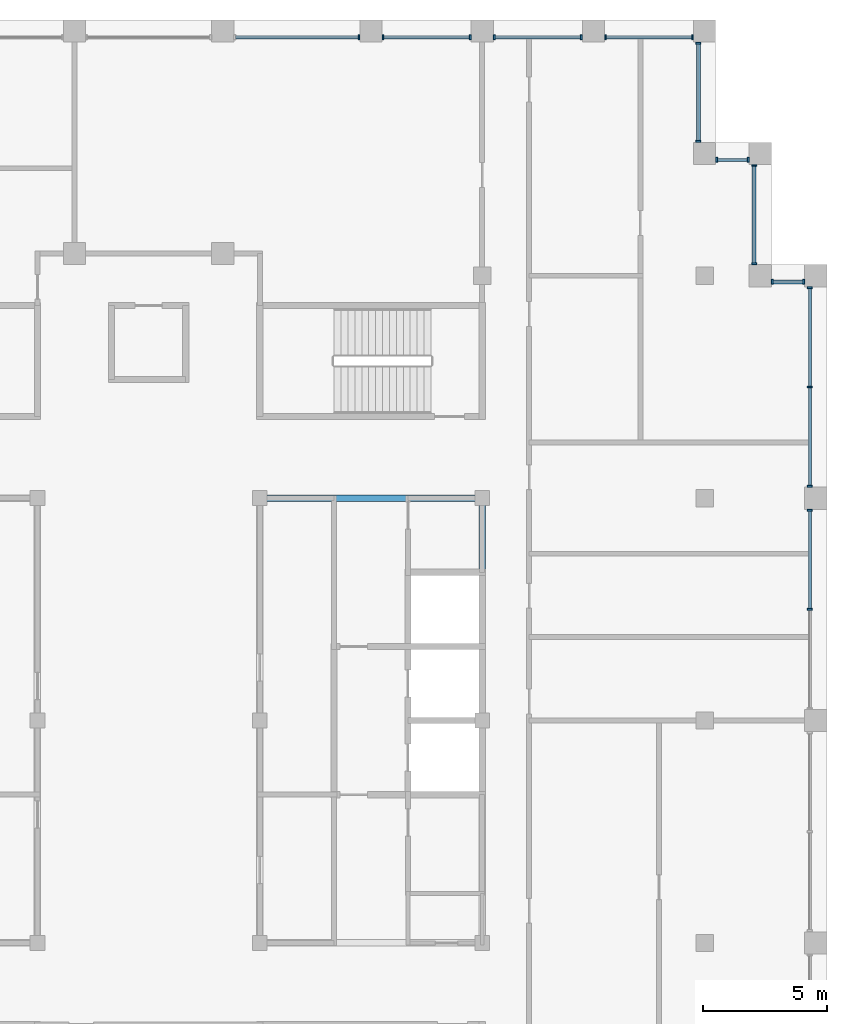
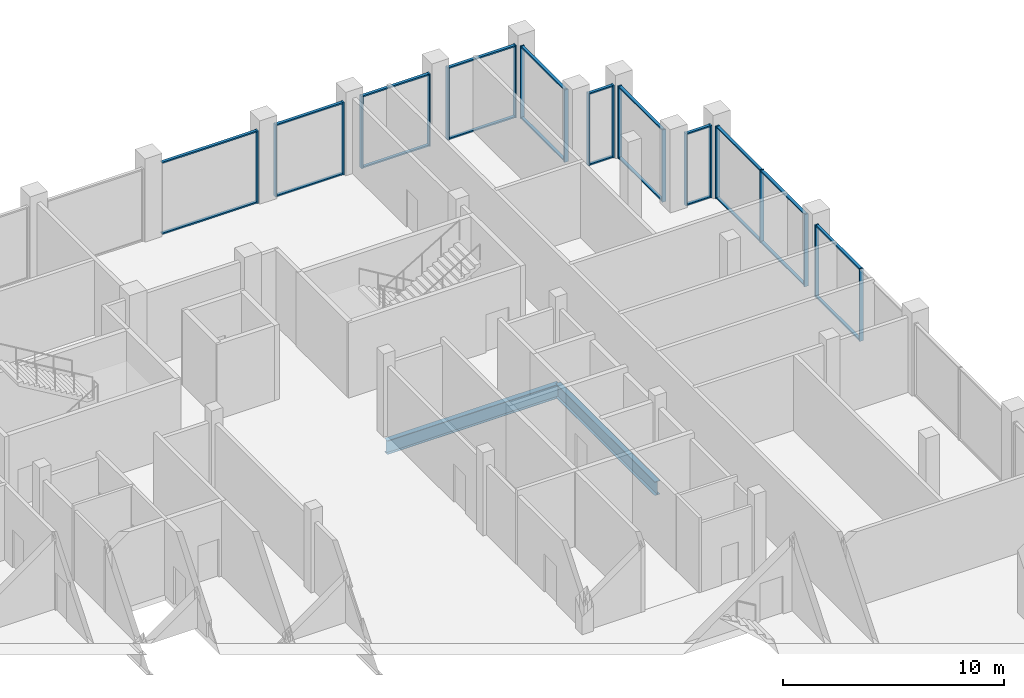
# One storey, part 5 of 12: 42 members, 2 beams, 10 elements without a shape of their own.
"""IFC4 building model written with IfcOpenShell, lengths in metres."""

from ifc_helpers import new_model, si_unit, direction, frame, origin, origin_2d, place, context, subcontext, project, spatial, rectangle, i_section, extrude, material, layer, layer_set, material_profile, profile_set, type_object, element, aggregate, save


model = new_model("IFC4")

# Units and contexts
model_context = context("Model", 3, precision=1e-05, world=origin(), true_north=direction((0.0, 1.0)))
body_context = subcontext(model_context, "Body", "Model", "MODEL_VIEW")
ifc_project = project(units=[si_unit("LENGTHUNIT", "METRE"), si_unit("AREAUNIT", "SQUARE_METRE"), si_unit("VOLUMEUNIT", "CUBIC_METRE"), si_unit("PLANEANGLEUNIT", "RADIAN"), si_unit("MASSUNIT", "GRAM", prefix="KILO")], contexts=[model_context])

# Site, building, storey
site_placement = place(None, origin())
site = spatial("IfcSite", under=ifc_project, at=site_placement, CompositionType="ELEMENT")
building_placement = place(site_placement, origin())
building = spatial("IfcBuilding", under=site, at=building_placement, Name="Corbelhall Arena Tower", CompositionType="ELEMENT")
storey_placement = place(building_placement, frame((0.0, 0.0, 356.0)))
storey = spatial("IfcBuildingStorey", under=building, at=storey_placement, Name="L78", CompositionType="ELEMENT", Elevation=356.0)

# Curtain wall, members
ifc_material_1 = material(Name="Aluminium black anodised", Category="aluminium")
ifc_layer = layer(ifc_material_1, 0.179931640625)
ifc_layer_set = layer_set([ifc_layer], Name="EV-CW3 Crown glazing")
curtain_wall_type = type_object("IfcCurtainWallType", Name="EV-CW3 Crown glazing", PredefinedType="NOTDEFINED", material=ifc_layer_set)
curtain_wall_1_placement = place(storey_placement, origin())
curtain_wall_1 = element("IfcCurtainWall", 1, at=curtain_wall_1_placement, inside=storey, type_object=curtain_wall_type, Name="Curtain wall CW3", PredefinedType="NOTDEFINED")
ifc_material_profile_1 = material_profile(ifc_material_1, rectangle(XDim=0.199951171875, YDim=0.074951171875, at=origin_2d()))
ifc_profile_set_1 = profile_set([ifc_material_profile_1], Name="Aluminium black anodised")
member_type_1 = type_object("IfcMemberType", Name="EV-CW3-MULLION", PredefinedType="MULLION", material=ifc_profile_set_1)
member_1_placement = place(storey_placement, frame((26.75, 4.5, 0.0), z_axis=(0.0, 0.0, 1.0), x_axis=(-1.0, 0.0, 0.0)))
member_1 = element("IfcMember", 2, at=member_1_placement, type_object=member_type_1, Name="CW3 mullion 2", PredefinedType="MULLION", context=body_context, shape_type="SweptSolid", body=[
    extrude(rectangle(XDim=0.199951171875, YDim=0.074951171875, at=origin_2d()), origin(), (0.0, 0.0, 1.0), 3.99951171875),
])
member_2_placement = place(storey_placement, frame((26.75, 8.512451171875, 0.0), z_axis=(0.0, 0.0, 1.0), x_axis=(-1.0, 0.0, 0.0)))
member_2 = element("IfcMember", 3, at=member_2_placement, type_object=member_type_1, Name="CW3 mullion 3", PredefinedType="MULLION", context=body_context, shape_type="SweptSolid", body=[
    extrude(rectangle(XDim=0.199951171875, YDim=0.074951171875, at=origin_2d()), origin(), (0.0, 0.0, 1.0), 3.99951171875),
])

curtain_wall_2_placement = place(storey_placement, origin())
curtain_wall_2 = element("IfcCurtainWall", 4, at=curtain_wall_2_placement, inside=storey, type_object=curtain_wall_type, Name="Curtain wall CW3", PredefinedType="NOTDEFINED")
member_3_placement = place(storey_placement, frame((26.75, 9.487548828125, 0.0), z_axis=(0.0, 0.0, 1.0), x_axis=(-1.0, 0.0, 0.0)))
member_3 = element("IfcMember", 5, at=member_3_placement, type_object=member_type_1, Name="CW3 mullion 1", PredefinedType="MULLION", context=body_context, shape_type="SweptSolid", body=[
    extrude(rectangle(XDim=0.199951171875, YDim=0.074951171875, at=origin_2d()), origin(), (0.0, 0.0, 1.0), 3.99951171875),
])
member_4_placement = place(storey_placement, frame((26.75, 13.5, 0.0), z_axis=(0.0, 0.0, 1.0), x_axis=(-1.0, 0.0, 0.0)))
member_4 = element("IfcMember", 6, at=member_4_placement, type_object=member_type_1, Name="CW3 mullion 2", PredefinedType="MULLION", context=body_context, shape_type="SweptSolid", body=[
    extrude(rectangle(XDim=0.199951171875, YDim=0.074951171875, at=origin_2d()), origin(), (0.0, 0.0, 1.0), 3.99951171875),
])
member_5_placement = place(storey_placement, frame((26.75, 17.512451171875, 0.0), z_axis=(0.0, 0.0, 1.0), x_axis=(-1.0, 0.0, 0.0)))
member_5 = element("IfcMember", 7, at=member_5_placement, type_object=member_type_1, Name="CW3 mullion 3", PredefinedType="MULLION", context=body_context, shape_type="SweptSolid", body=[
    extrude(rectangle(XDim=0.199951171875, YDim=0.074951171875, at=origin_2d()), origin(), (0.0, 0.0, 1.0), 3.99951171875),
])

curtain_wall_3_placement = place(storey_placement, origin())
curtain_wall_3 = element("IfcCurtainWall", 8, at=curtain_wall_3_placement, inside=storey, type_object=curtain_wall_type, Name="Curtain wall CW3B", PredefinedType="NOTDEFINED")
member_6_placement = place(storey_placement, frame((26.512451171875, 17.75, 0.0), z_axis=(0.0, 0.0, 1.0), x_axis=(0.0, -1.0, 0.0)))
member_6 = element("IfcMember", 9, at=member_6_placement, type_object=member_type_1, Name="CW3B mullion 1", PredefinedType="MULLION", context=body_context, shape_type="SweptSolid", body=[
    extrude(rectangle(XDim=0.199951171875, YDim=0.074951171875, at=origin_2d()), origin(), (0.0, 0.0, 1.0), 3.99951171875),
])
member_7_placement = place(storey_placement, frame((25.237548828125, 17.75, 0.0), z_axis=(0.0, 0.0, 1.0), x_axis=(0.0, -1.0, 0.0)))
member_7 = element("IfcMember", 10, at=member_7_placement, type_object=member_type_1, Name="CW3B mullion 2", PredefinedType="MULLION", context=body_context, shape_type="SweptSolid", body=[
    extrude(rectangle(XDim=0.199951171875, YDim=0.074951171875, at=origin_2d()), origin(), (0.0, 0.0, 1.0), 3.99951171875),
])

curtain_wall_4_placement = place(storey_placement, origin())
curtain_wall_4 = element("IfcCurtainWall", 11, at=curtain_wall_4_placement, inside=storey, type_object=curtain_wall_type, Name="Curtain wall CW3", PredefinedType="NOTDEFINED")
member_8_placement = place(storey_placement, frame((24.5, 18.487548828125, 0.0), z_axis=(0.0, 0.0, 1.0), x_axis=(-1.0, 0.0, 0.0)))
member_8 = element("IfcMember", 12, at=member_8_placement, type_object=member_type_1, Name="CW3 mullion 1", PredefinedType="MULLION", context=body_context, shape_type="SweptSolid", body=[
    extrude(rectangle(XDim=0.199951171875, YDim=0.074951171875, at=origin_2d()), origin(), (0.0, 0.0, 1.0), 3.99951171875),
])
member_9_placement = place(storey_placement, frame((24.5, 22.46240234375, 0.0), z_axis=(0.0, 0.0, 1.0), x_axis=(-1.0, 0.0, 0.0)))
member_9 = element("IfcMember", 13, at=member_9_placement, type_object=member_type_1, Name="CW3 mullion 2", PredefinedType="MULLION", context=body_context, shape_type="SweptSolid", body=[
    extrude(rectangle(XDim=0.199951171875, YDim=0.074951171875, at=origin_2d()), origin(), (0.0, 0.0, 1.0), 3.99951171875),
])

curtain_wall_5_placement = place(storey_placement, origin())
curtain_wall_5 = element("IfcCurtainWall", 14, at=curtain_wall_5_placement, inside=storey, type_object=curtain_wall_type, Name="Curtain wall CW3B", PredefinedType="NOTDEFINED")
member_10_placement = place(storey_placement, frame((24.262451171875, 22.699951171875, 0.0), z_axis=(0.0, 0.0, 1.0), x_axis=(0.0, -1.0, 0.0)))
member_10 = element("IfcMember", 15, at=member_10_placement, type_object=member_type_1, Name="CW3B mullion 1", PredefinedType="MULLION", context=body_context, shape_type="SweptSolid", body=[
    extrude(rectangle(XDim=0.199951171875, YDim=0.074951171875, at=origin_2d()), origin(), (0.0, 0.0, 1.0), 3.99951171875),
])
member_11_placement = place(storey_placement, frame((22.987548828125, 22.699951171875, 0.0), z_axis=(0.0, 0.0, 1.0), x_axis=(0.0, -1.0, 0.0)))
member_11 = element("IfcMember", 16, at=member_11_placement, type_object=member_type_1, Name="CW3B mullion 2", PredefinedType="MULLION", context=body_context, shape_type="SweptSolid", body=[
    extrude(rectangle(XDim=0.199951171875, YDim=0.074951171875, at=origin_2d()), origin(), (0.0, 0.0, 1.0), 3.99951171875),
])

curtain_wall_6_placement = place(storey_placement, origin())
curtain_wall_6 = element("IfcCurtainWall", 17, at=curtain_wall_6_placement, inside=storey, type_object=curtain_wall_type, Name="Curtain wall CW3", PredefinedType="NOTDEFINED")
member_12_placement = place(storey_placement, frame((22.25, 23.4375, 0.0), z_axis=(0.0, 0.0, 1.0), x_axis=(-1.0, 0.0, 0.0)))
member_12 = element("IfcMember", 18, at=member_12_placement, type_object=member_type_1, Name="CW3 mullion 1", PredefinedType="MULLION", context=body_context, shape_type="SweptSolid", body=[
    extrude(rectangle(XDim=0.199951171875, YDim=0.074951171875, at=origin_2d()), origin(), (0.0, 0.0, 1.0), 3.99951171875),
])
member_13_placement = place(storey_placement, frame((22.25, 27.41259765625, 0.0), z_axis=(0.0, 0.0, 1.0), x_axis=(-1.0, 0.0, 0.0)))
member_13 = element("IfcMember", 19, at=member_13_placement, type_object=member_type_1, Name="CW3 mullion 2", PredefinedType="MULLION", context=body_context, shape_type="SweptSolid", body=[
    extrude(rectangle(XDim=0.199951171875, YDim=0.074951171875, at=origin_2d()), origin(), (0.0, 0.0, 1.0), 3.99951171875),
])

curtain_wall_7_placement = place(storey_placement, origin())
curtain_wall_7 = element("IfcCurtainWall", 20, at=curtain_wall_7_placement, inside=storey, type_object=curtain_wall_type, Name="Curtain wall CW3A", PredefinedType="NOTDEFINED")
member_14_placement = place(storey_placement, frame((22.012451171875, 27.64990234375, 0.0), z_axis=(0.0, 0.0, 1.0), x_axis=(0.0, -1.0, 0.0)))
member_14 = element("IfcMember", 21, at=member_14_placement, type_object=member_type_1, Name="CW3A mullion 1", PredefinedType="MULLION", context=body_context, shape_type="SweptSolid", body=[
    extrude(rectangle(XDim=0.199951171875, YDim=0.074951171875, at=origin_2d()), origin(), (0.0, 0.0, 1.0), 3.99951171875),
])
member_15_placement = place(storey_placement, frame((18.487548828125, 27.64990234375, 0.0), z_axis=(0.0, 0.0, 1.0), x_axis=(0.0, -1.0, 0.0)))
member_15 = element("IfcMember", 22, at=member_15_placement, type_object=member_type_1, Name="CW3A mullion 2", PredefinedType="MULLION", context=body_context, shape_type="SweptSolid", body=[
    extrude(rectangle(XDim=0.199951171875, YDim=0.074951171875, at=origin_2d()), origin(), (0.0, 0.0, 1.0), 3.99951171875),
])

curtain_wall_8_placement = place(storey_placement, origin())
curtain_wall_8 = element("IfcCurtainWall", 23, at=curtain_wall_8_placement, inside=storey, type_object=curtain_wall_type, Name="Curtain wall CW3A", PredefinedType="NOTDEFINED")
member_16_placement = place(storey_placement, frame((17.512451171875, 27.64990234375, 0.0), z_axis=(0.0, 0.0, 1.0), x_axis=(0.0, -1.0, 0.0)))
member_16 = element("IfcMember", 24, at=member_16_placement, type_object=member_type_1, Name="CW3A mullion 1", PredefinedType="MULLION", context=body_context, shape_type="SweptSolid", body=[
    extrude(rectangle(XDim=0.199951171875, YDim=0.074951171875, at=origin_2d()), origin(), (0.0, 0.0, 1.0), 3.99951171875),
])
member_17_placement = place(storey_placement, frame((13.987548828125, 27.64990234375, 0.0), z_axis=(0.0, 0.0, 1.0), x_axis=(0.0, -1.0, 0.0)))
member_17 = element("IfcMember", 25, at=member_17_placement, type_object=member_type_1, Name="CW3A mullion 2", PredefinedType="MULLION", context=body_context, shape_type="SweptSolid", body=[
    extrude(rectangle(XDim=0.199951171875, YDim=0.074951171875, at=origin_2d()), origin(), (0.0, 0.0, 1.0), 3.99951171875),
])

curtain_wall_9_placement = place(storey_placement, origin())
curtain_wall_9 = element("IfcCurtainWall", 26, at=curtain_wall_9_placement, inside=storey, type_object=curtain_wall_type, Name="Curtain wall CW3A", PredefinedType="NOTDEFINED")
member_18_placement = place(storey_placement, frame((13.012451171875, 27.64990234375, 0.0), z_axis=(0.0, 0.0, 1.0), x_axis=(0.0, -1.0, 0.0)))
member_18 = element("IfcMember", 27, at=member_18_placement, type_object=member_type_1, Name="CW3A mullion 1", PredefinedType="MULLION", context=body_context, shape_type="SweptSolid", body=[
    extrude(rectangle(XDim=0.199951171875, YDim=0.074951171875, at=origin_2d()), origin(), (0.0, 0.0, 1.0), 3.99951171875),
])
member_19_placement = place(storey_placement, frame((9.487548828125, 27.64990234375, 0.0), z_axis=(0.0, 0.0, 1.0), x_axis=(0.0, -1.0, 0.0)))
member_19 = element("IfcMember", 28, at=member_19_placement, type_object=member_type_1, Name="CW3A mullion 2", PredefinedType="MULLION", context=body_context, shape_type="SweptSolid", body=[
    extrude(rectangle(XDim=0.199951171875, YDim=0.074951171875, at=origin_2d()), origin(), (0.0, 0.0, 1.0), 3.99951171875),
])

# Curtain wall, member
curtain_wall_10_placement = place(storey_placement, origin())
curtain_wall_10 = element("IfcCurtainWall", 29, at=curtain_wall_10_placement, inside=storey, type_object=curtain_wall_type, Name="Curtain wall CW3C", PredefinedType="NOTDEFINED")
member_20_placement = place(storey_placement, frame((8.512451171875, 27.64990234375, 0.0), z_axis=(0.0, 0.0, 1.0), x_axis=(0.0, -1.0, 0.0)))
member_20 = element("IfcMember", 30, at=member_20_placement, type_object=member_type_1, Name="CW3C mullion 1", PredefinedType="MULLION", context=body_context, shape_type="SweptSolid", body=[
    extrude(rectangle(XDim=0.199951171875, YDim=0.074951171875, at=origin_2d()), origin(), (0.0, 0.0, 1.0), 3.99951171875),
])

# Member
ifc_material_profile_2 = material_profile(ifc_material_1, rectangle(XDim=0.14990234375, YDim=0.074951171875, at=origin_2d()))
ifc_profile_set_2 = profile_set([ifc_material_profile_2], Name="Aluminium black anodised")
member_type_2 = type_object("IfcMemberType", Name="EV-CW3-TRANSOM", PredefinedType="USERDEFINED", material=ifc_profile_set_2)
member_21_placement = place(storey_placement, frame((26.75, 4.53759765625, 0.03759765625), z_axis=(0.0, 1.0, 0.0), x_axis=(-1.0, 0.0, 0.0)))
member_21 = element("IfcMember", 31, at=member_21_placement, type_object=member_type_2, Name="CW3 transom 2.1", ObjectType="transom", PredefinedType="USERDEFINED", context=body_context, shape_type="SweptSolid", body=[
    extrude(rectangle(XDim=0.14990234375, YDim=0.074951171875, at=origin_2d()), origin(), (0.0, 0.0, 1.0), 3.9375),
])

member_22_placement = place(storey_placement, frame((26.75, 4.53759765625, 3.962158203125), z_axis=(0.0, 1.0, 0.0), x_axis=(-1.0, 0.0, 0.0)))
member_22 = element("IfcMember", 32, at=member_22_placement, type_object=member_type_2, Name="CW3 transom 2.2", ObjectType="transom", PredefinedType="USERDEFINED", context=body_context, shape_type="SweptSolid", body=[
    extrude(rectangle(XDim=0.14990234375, YDim=0.074951171875, at=origin_2d()), origin(), (0.0, 0.0, 1.0), 3.9375),
])

aggregate(curtain_wall_1, [member_1, member_2, member_21, member_22])

member_23_placement = place(storey_placement, frame((26.75, 9.52490234375, 0.03759765625), z_axis=(0.0, 1.0, 0.0), x_axis=(-1.0, 0.0, 0.0)))
member_23 = element("IfcMember", 33, at=member_23_placement, type_object=member_type_2, Name="CW3 transom 1.1", ObjectType="transom", PredefinedType="USERDEFINED", context=body_context, shape_type="SweptSolid", body=[
    extrude(rectangle(XDim=0.14990234375, YDim=0.074951171875, at=origin_2d()), origin(), (0.0, 0.0, 1.0), 3.9375),
])

member_24_placement = place(storey_placement, frame((26.75, 9.52490234375, 3.962158203125), z_axis=(0.0, 1.0, 0.0), x_axis=(-1.0, 0.0, 0.0)))
member_24 = element("IfcMember", 34, at=member_24_placement, type_object=member_type_2, Name="CW3 transom 1.2", ObjectType="transom", PredefinedType="USERDEFINED", context=body_context, shape_type="SweptSolid", body=[
    extrude(rectangle(XDim=0.14990234375, YDim=0.074951171875, at=origin_2d()), origin(), (0.0, 0.0, 1.0), 3.9375),
])

member_25_placement = place(storey_placement, frame((26.75, 13.53759765625, 0.03759765625), z_axis=(0.0, 1.0, 0.0), x_axis=(-1.0, 0.0, 0.0)))
member_25 = element("IfcMember", 35, at=member_25_placement, type_object=member_type_2, Name="CW3 transom 2.1", ObjectType="transom", PredefinedType="USERDEFINED", context=body_context, shape_type="SweptSolid", body=[
    extrude(rectangle(XDim=0.14990234375, YDim=0.074951171875, at=origin_2d()), origin(), (0.0, 0.0, 1.0), 3.9375),
])

member_26_placement = place(storey_placement, frame((26.75, 13.53759765625, 3.962158203125), z_axis=(0.0, 1.0, 0.0), x_axis=(-1.0, 0.0, 0.0)))
member_26 = element("IfcMember", 36, at=member_26_placement, type_object=member_type_2, Name="CW3 transom 2.2", ObjectType="transom", PredefinedType="USERDEFINED", context=body_context, shape_type="SweptSolid", body=[
    extrude(rectangle(XDim=0.14990234375, YDim=0.074951171875, at=origin_2d()), origin(), (0.0, 0.0, 1.0), 3.9375),
])

aggregate(curtain_wall_2, [member_3, member_4, member_5, member_23, member_24, member_25, member_26])

member_27_placement = place(storey_placement, frame((26.47509765625, 17.75, 0.03759765625), z_axis=(-1.0, 0.0, 0.0), x_axis=(0.0, -1.0, 0.0)))
member_27 = element("IfcMember", 37, at=member_27_placement, type_object=member_type_2, Name="CW3B transom 1.1", ObjectType="transom", PredefinedType="USERDEFINED", context=body_context, shape_type="SweptSolid", body=[
    extrude(rectangle(XDim=0.14990234375, YDim=0.074951171875, at=origin_2d()), origin(), (0.0, 0.0, 1.0), 1.2001953125),
])

member_28_placement = place(storey_placement, frame((26.47509765625, 17.75, 3.962158203125), z_axis=(-1.0, 0.0, 0.0), x_axis=(0.0, -1.0, 0.0)))
member_28 = element("IfcMember", 38, at=member_28_placement, type_object=member_type_2, Name="CW3B transom 1.2", ObjectType="transom", PredefinedType="USERDEFINED", context=body_context, shape_type="SweptSolid", body=[
    extrude(rectangle(XDim=0.14990234375, YDim=0.074951171875, at=origin_2d()), origin(), (0.0, 0.0, 1.0), 1.2001953125),
])

aggregate(curtain_wall_3, [member_6, member_7, member_27, member_28])

member_29_placement = place(storey_placement, frame((24.5, 18.52490234375, 0.03759765625), z_axis=(0.0, 1.0, 0.0), x_axis=(-1.0, 0.0, 0.0)))
member_29 = element("IfcMember", 39, at=member_29_placement, type_object=member_type_2, Name="CW3 transom 1.1", ObjectType="transom", PredefinedType="USERDEFINED", context=body_context, shape_type="SweptSolid", body=[
    extrude(rectangle(XDim=0.14990234375, YDim=0.074951171875, at=origin_2d()), origin(), (0.0, 0.0, 1.0), 3.900146484375),
])

member_30_placement = place(storey_placement, frame((24.5, 18.52490234375, 3.962158203125), z_axis=(0.0, 1.0, 0.0), x_axis=(-1.0, 0.0, 0.0)))
member_30 = element("IfcMember", 40, at=member_30_placement, type_object=member_type_2, Name="CW3 transom 1.2", ObjectType="transom", PredefinedType="USERDEFINED", context=body_context, shape_type="SweptSolid", body=[
    extrude(rectangle(XDim=0.14990234375, YDim=0.074951171875, at=origin_2d()), origin(), (0.0, 0.0, 1.0), 3.900146484375),
])

aggregate(curtain_wall_4, [member_8, member_9, member_29, member_30])

member_31_placement = place(storey_placement, frame((24.22509765625, 22.699951171875, 0.03759765625), z_axis=(-1.0, 0.0, 0.0), x_axis=(0.0, -1.0, 0.0)))
member_31 = element("IfcMember", 41, at=member_31_placement, type_object=member_type_2, Name="CW3B transom 1.1", ObjectType="transom", PredefinedType="USERDEFINED", context=body_context, shape_type="SweptSolid", body=[
    extrude(rectangle(XDim=0.14990234375, YDim=0.074951171875, at=origin_2d()), origin(), (0.0, 0.0, 1.0), 1.2001953125),
])

member_32_placement = place(storey_placement, frame((24.22509765625, 22.699951171875, 3.962158203125), z_axis=(-1.0, 0.0, 0.0), x_axis=(0.0, -1.0, 0.0)))
member_32 = element("IfcMember", 42, at=member_32_placement, type_object=member_type_2, Name="CW3B transom 1.2", ObjectType="transom", PredefinedType="USERDEFINED", context=body_context, shape_type="SweptSolid", body=[
    extrude(rectangle(XDim=0.14990234375, YDim=0.074951171875, at=origin_2d()), origin(), (0.0, 0.0, 1.0), 1.2001953125),
])

aggregate(curtain_wall_5, [member_10, member_11, member_31, member_32])

member_33_placement = place(storey_placement, frame((22.25, 23.47509765625, 0.03759765625), z_axis=(0.0, 1.0, 0.0), x_axis=(-1.0, 0.0, 0.0)))
member_33 = element("IfcMember", 43, at=member_33_placement, type_object=member_type_2, Name="CW3 transom 1.1", ObjectType="transom", PredefinedType="USERDEFINED", context=body_context, shape_type="SweptSolid", body=[
    extrude(rectangle(XDim=0.14990234375, YDim=0.074951171875, at=origin_2d()), origin(), (0.0, 0.0, 1.0), 3.89990234375),
])

member_34_placement = place(storey_placement, frame((22.25, 23.47509765625, 3.962158203125), z_axis=(0.0, 1.0, 0.0), x_axis=(-1.0, 0.0, 0.0)))
member_34 = element("IfcMember", 44, at=member_34_placement, type_object=member_type_2, Name="CW3 transom 1.2", ObjectType="transom", PredefinedType="USERDEFINED", context=body_context, shape_type="SweptSolid", body=[
    extrude(rectangle(XDim=0.14990234375, YDim=0.074951171875, at=origin_2d()), origin(), (0.0, 0.0, 1.0), 3.89990234375),
])

aggregate(curtain_wall_6, [member_12, member_13, member_33, member_34])

member_35_placement = place(storey_placement, frame((21.97509765625, 27.64990234375, 0.03759765625), z_axis=(-1.0, 0.0, 0.0), x_axis=(0.0, -1.0, 0.0)))
member_35 = element("IfcMember", 45, at=member_35_placement, type_object=member_type_2, Name="CW3A transom 1.1", ObjectType="transom", PredefinedType="USERDEFINED", context=body_context, shape_type="SweptSolid", body=[
    extrude(rectangle(XDim=0.14990234375, YDim=0.074951171875, at=origin_2d()), origin(), (0.0, 0.0, 1.0), 3.4501953125),
])

member_36_placement = place(storey_placement, frame((21.97509765625, 27.64990234375, 3.962158203125), z_axis=(-1.0, 0.0, 0.0), x_axis=(0.0, -1.0, 0.0)))
member_36 = element("IfcMember", 46, at=member_36_placement, type_object=member_type_2, Name="CW3A transom 1.2", ObjectType="transom", PredefinedType="USERDEFINED", context=body_context, shape_type="SweptSolid", body=[
    extrude(rectangle(XDim=0.14990234375, YDim=0.074951171875, at=origin_2d()), origin(), (0.0, 0.0, 1.0), 3.4501953125),
])

aggregate(curtain_wall_7, [member_14, member_15, member_35, member_36])

member_37_placement = place(storey_placement, frame((17.47509765625, 27.64990234375, 0.03759765625), z_axis=(-1.0, 0.0, 0.0), x_axis=(0.0, -1.0, 0.0)))
member_37 = element("IfcMember", 47, at=member_37_placement, type_object=member_type_2, Name="CW3A transom 1.1", ObjectType="transom", PredefinedType="USERDEFINED", context=body_context, shape_type="SweptSolid", body=[
    extrude(rectangle(XDim=0.14990234375, YDim=0.074951171875, at=origin_2d()), origin(), (0.0, 0.0, 1.0), 3.4501953125),
])

member_38_placement = place(storey_placement, frame((17.47509765625, 27.64990234375, 3.962158203125), z_axis=(-1.0, 0.0, 0.0), x_axis=(0.0, -1.0, 0.0)))
member_38 = element("IfcMember", 48, at=member_38_placement, type_object=member_type_2, Name="CW3A transom 1.2", ObjectType="transom", PredefinedType="USERDEFINED", context=body_context, shape_type="SweptSolid", body=[
    extrude(rectangle(XDim=0.14990234375, YDim=0.074951171875, at=origin_2d()), origin(), (0.0, 0.0, 1.0), 3.4501953125),
])

aggregate(curtain_wall_8, [member_16, member_17, member_37, member_38])

member_39_placement = place(storey_placement, frame((12.97509765625, 27.64990234375, 0.03759765625), z_axis=(-1.0, 0.0, 0.0), x_axis=(0.0, -1.0, 0.0)))
member_39 = element("IfcMember", 49, at=member_39_placement, type_object=member_type_2, Name="CW3A transom 1.1", ObjectType="transom", PredefinedType="USERDEFINED", context=body_context, shape_type="SweptSolid", body=[
    extrude(rectangle(XDim=0.14990234375, YDim=0.074951171875, at=origin_2d()), origin(), (0.0, 0.0, 1.0), 3.4501953125),
])

member_40_placement = place(storey_placement, frame((12.97509765625, 27.64990234375, 3.962158203125), z_axis=(-1.0, 0.0, 0.0), x_axis=(0.0, -1.0, 0.0)))
member_40 = element("IfcMember", 50, at=member_40_placement, type_object=member_type_2, Name="CW3A transom 1.2", ObjectType="transom", PredefinedType="USERDEFINED", context=body_context, shape_type="SweptSolid", body=[
    extrude(rectangle(XDim=0.14990234375, YDim=0.074951171875, at=origin_2d()), origin(), (0.0, 0.0, 1.0), 3.4501953125),
])

aggregate(curtain_wall_9, [member_18, member_19, member_39, member_40])

member_41_placement = place(storey_placement, frame((8.47509765625, 27.64990234375, 0.03759765625), z_axis=(-1.0, 0.0, 0.0), x_axis=(0.0, -1.0, 0.0)))
member_41 = element("IfcMember", 51, at=member_41_placement, type_object=member_type_2, Name="CW3C transom 1.1", ObjectType="transom", PredefinedType="USERDEFINED", context=body_context, shape_type="SweptSolid", body=[
    extrude(rectangle(XDim=0.14990234375, YDim=0.074951171875, at=origin_2d()), origin(), (0.0, 0.0, 1.0), 4.9501953125),
])

member_42_placement = place(storey_placement, frame((8.47509765625, 27.64990234375, 3.962158203125), z_axis=(-1.0, 0.0, 0.0), x_axis=(0.0, -1.0, 0.0)))
member_42 = element("IfcMember", 52, at=member_42_placement, type_object=member_type_2, Name="CW3C transom 1.2", ObjectType="transom", PredefinedType="USERDEFINED", context=body_context, shape_type="SweptSolid", body=[
    extrude(rectangle(XDim=0.14990234375, YDim=0.074951171875, at=origin_2d()), origin(), (0.0, 0.0, 1.0), 4.9501953125),
])

aggregate(curtain_wall_10, [member_20, member_41, member_42])

# Beams
ifc_material_2 = material(Name="Steel ASTM A992 Gr50", Category="steel")
ifc_material_profile_3 = material_profile(ifc_material_2, i_section(OverallWidth=0.2666015625, OverallDepth=0.761962890625, WebThickness=0.014404296875, FlangeThickness=0.021484375, at=origin_2d()))
ifc_profile_set_3 = profile_set([ifc_material_profile_3], Name="Steel ASTM A992 Gr50")
beam_type = type_object("IfcBeamType", Name="ST-BEAM-W30x116", PredefinedType="BEAM", material=ifc_profile_set_3)
for number, where, z_axis, x_axis, name in (
    (53, (13.5, 0.0, -0.781494140625), (0.0, 1.0, 0.0), (-1.0, 0.0, 0.0), "Beam CEE 10"),
    (54, (4.5, 9.0, -0.781494140625), (1.0, 0.0, 0.0), (0.0, 1.0, 0.0), "Beam CEE 12"),
):
    element("IfcBeam", number, at=place(storey_placement, frame(where, z_axis=z_axis, x_axis=x_axis)), inside=storey, type_object=beam_type, Name=name, PredefinedType="BEAM", context=body_context, shape_type="SweptSolid", body=[
        extrude(i_section(OverallWidth=0.2666015625, OverallDepth=0.761962890625, WebThickness=0.014404296875, FlangeThickness=0.021484375, at=origin_2d()), origin(), (0.0, 0.0, 1.0), 9.0),
    ])

save(model, "model.ifc")
